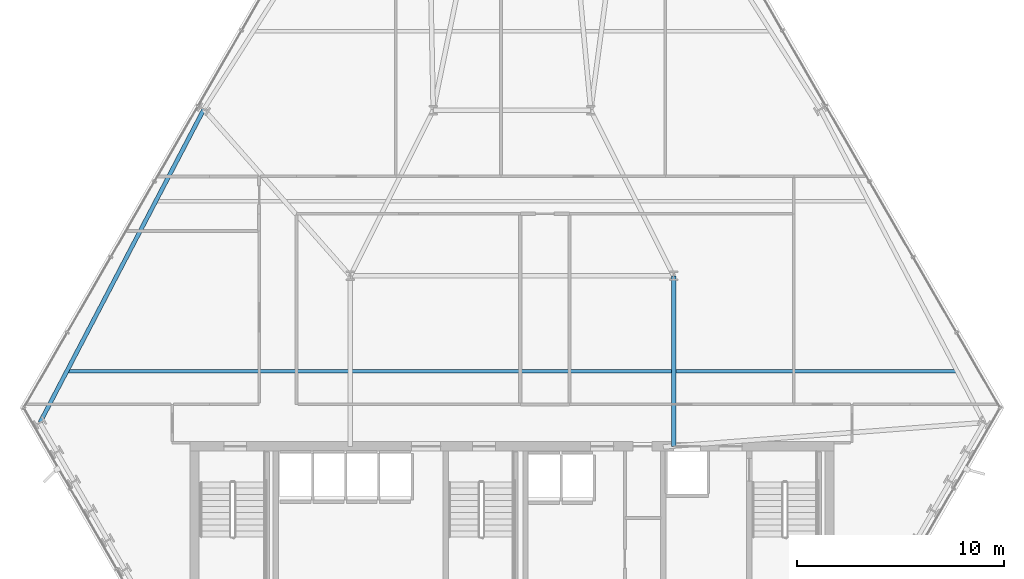
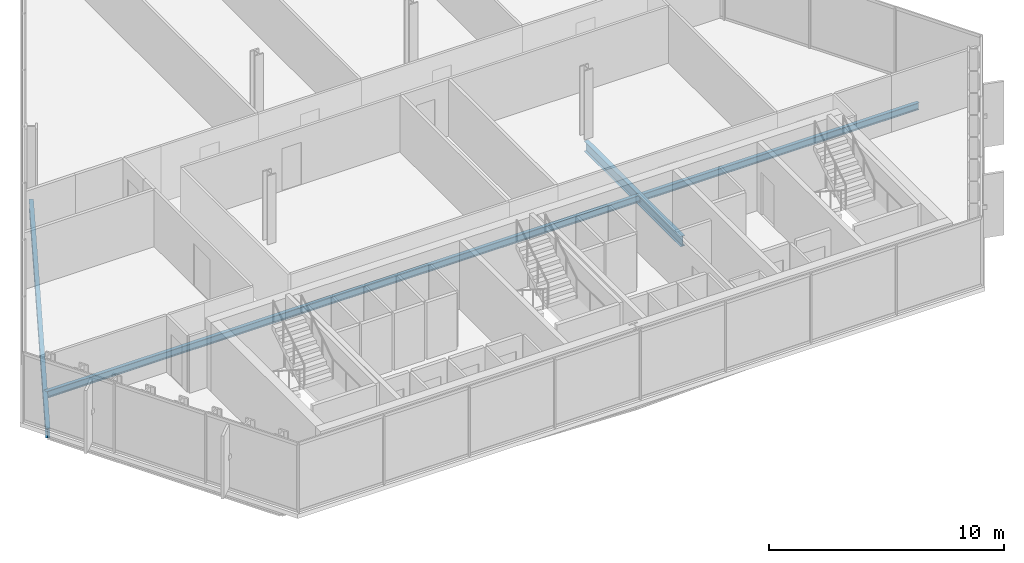
# One storey, part 10 of 31: 3 beams.
"""IFC4 building model written with IfcOpenShell, lengths in metres."""

from ifc_helpers import new_model, si_unit, direction, frame, origin, origin_2d, place, context, subcontext, project, spatial, i_section, extrude, material, material_profile, profile_set, type_object, element, save


model = new_model("IFC4")

# Units and contexts
model_context = context("Model", 3, precision=1e-05, world=origin(), true_north=direction((0.0, 1.0)))
body_context = subcontext(model_context, "Body", "Model", "MODEL_VIEW")
ifc_project = project(units=[si_unit("LENGTHUNIT", "METRE"), si_unit("AREAUNIT", "SQUARE_METRE"), si_unit("VOLUMEUNIT", "CUBIC_METRE"), si_unit("PLANEANGLEUNIT", "RADIAN"), si_unit("MASSUNIT", "GRAM", prefix="KILO")], contexts=[model_context])

# Site, building, storey
site_placement = place(None, origin())
site = spatial("IfcSite", under=ifc_project, at=site_placement, CompositionType="ELEMENT")
building_placement = place(site_placement, origin())
building = spatial("IfcBuilding", under=site, at=building_placement, Name="Ndaravel Arena Tower", CompositionType="ELEMENT")
storey_placement = place(building_placement, frame((0.0, 0.0, 104.39990234375)))
storey = spatial("IfcBuildingStorey", under=building, at=storey_placement, Name="L24", CompositionType="ELEMENT", Elevation=104.39990234375)

# Beams
ifc_material_1 = material(Name="Steel S355", Category="steel")
ifc_material_profile_1 = material_profile(ifc_material_1, i_section(OverallWidth=0.210693359375, OverallDepth=0.53955078125, WebThickness=0.01171875, FlangeThickness=0.018798828125, FilletRadius=0.0126953125, at=origin_2d()), Name="UB 533x210x109")
ifc_profile_set_1 = profile_set([ifc_material_profile_1], Name="Steel S355")
beam_type_1 = type_object("IfcBeamType", Name="BM-GIRD-UB533", PredefinedType="BEAM", material=ifc_profile_set_1)
beam_1_placement = place(storey_placement, frame((49.800048828125, 14.97998046875, -0.489501953125), z_axis=(0.0, 1.0, 0.0), x_axis=(-1.0, 0.0, 0.0)))
element("IfcBeam", 1, at=beam_1_placement, inside=storey, type_object=beam_type_1, Name="L24 Spine Link Girder SLG-02", PredefinedType="BEAM", context=body_context, shape_type="SweptSolid", body=[
    extrude(i_section(OverallWidth=0.210693359375, OverallDepth=0.53955078125, WebThickness=0.01171875, FlangeThickness=0.018798828125, FilletRadius=0.0126953125, at=origin_2d()), origin(), (0.0, 0.0, 1.0), 8.219970703125),
])
ifc_material_2 = material(Name="Steel S355", Category="steel")
ifc_material_profile_2 = material_profile(ifc_material_2, i_section(OverallWidth=0.169921875, OverallDepth=0.360107421875, WebThickness=0.008056640625, FlangeThickness=0.0126953125, FilletRadius=0.01806640625, at=origin_2d()), Name="IPE 360")
ifc_profile_set_2 = profile_set([ifc_material_profile_2], Name="Steel S355")
beam_type_2 = type_object("IfcBeamType", Name="BM-JOIST-IPE360", PredefinedType="JOIST", material=ifc_profile_set_2)
beam_2_placement = place(storey_placement, frame((20.517578125, 18.60009765625, -0.39990234375), z_axis=(1.0, 0.0, 0.0), x_axis=(0.0, 1.0, 0.0)))
element("IfcBeam", 2, at=beam_2_placement, inside=storey, type_object=beam_type_2, Name="L24 Composite Floor Joist FJ-01", PredefinedType="JOIST", context=body_context, shape_type="SweptSolid", body=[
    extrude(i_section(OverallWidth=0.169921875, OverallDepth=0.360107421875, WebThickness=0.008056640625, FlangeThickness=0.0126953125, FilletRadius=0.01806640625, at=origin_2d()), origin(), (0.0, 0.0, 1.0), 42.96484375),
])
ifc_material_3 = material(Name="Steel S355", Category="steel")
ifc_material_profile_3 = material_profile(ifc_material_3, i_section(OverallWidth=0.199951171875, OverallDepth=0.5, WebThickness=0.01025390625, FlangeThickness=0.01611328125, FilletRadius=0.02099609375, at=origin_2d()), Name="IPE 500")
ifc_profile_set_3 = profile_set([ifc_material_profile_3], Name="Steel S355")
beam_type_3 = type_object("IfcBeamType", Name="BM-SPAN-IPE500", PredefinedType="SPANDREL", material=ifc_profile_set_3)
beam_3_placement = place(storey_placement, frame((27.12890625, 31.23779296875, -0.469970703125), z_axis=(-0.463540575518, -0.886075693634, 0.0), x_axis=(0.886075693634, -0.463540575518, 0.0)))
element("IfcBeam", 3, at=beam_3_placement, inside=storey, type_object=beam_type_3, Name="L24 Perimeter Spandrel Beam SP-19", PredefinedType="SPANDREL", context=body_context, shape_type="SweptSolid", body=[
    extrude(i_section(OverallWidth=0.199951171875, OverallDepth=0.5, WebThickness=0.01025390625, FlangeThickness=0.01611328125, FilletRadius=0.02099609375, at=origin_2d()), origin(), (0.0, 0.0, 1.0), 17.057861328125),
])

save(model, "model.ifc")
